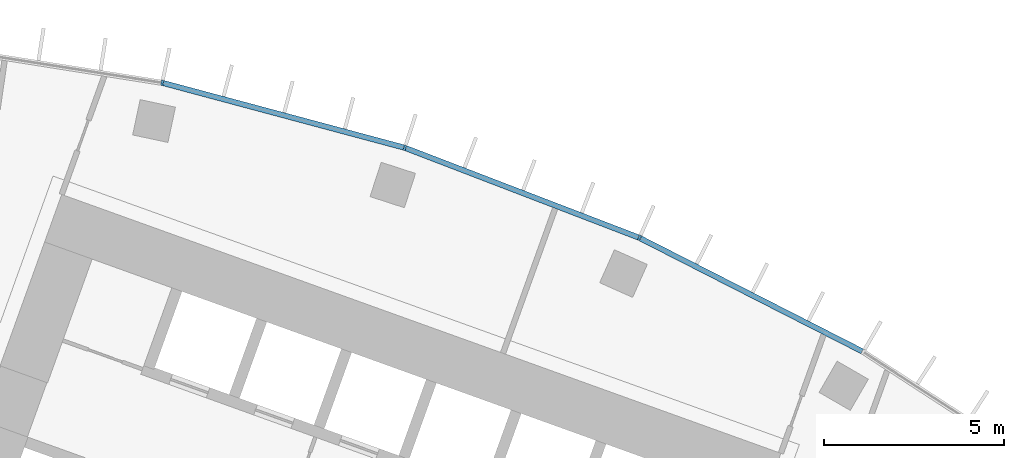
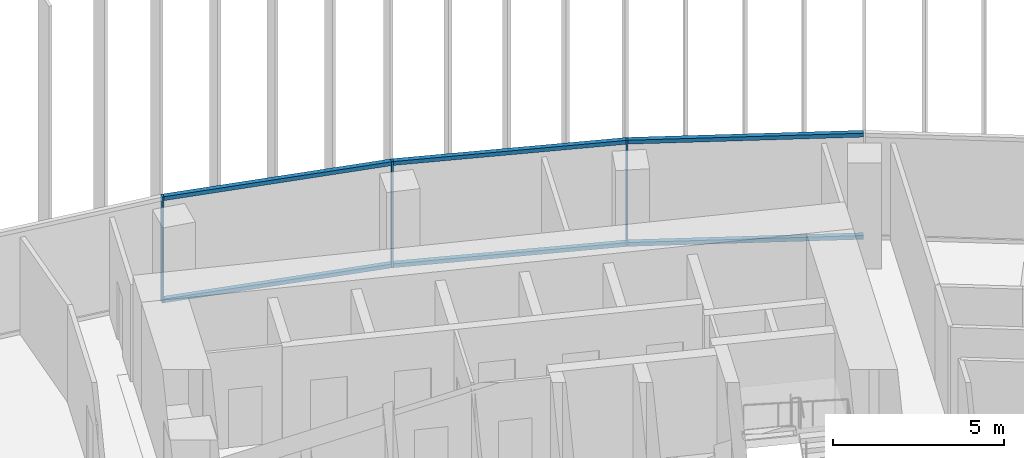
# One storey, part 11 of 23: 9 members, 1 element without a shape of its own.
"""IFC4 building model written with IfcOpenShell, lengths in metres."""

from ifc_helpers import new_model, si_unit, direction, frame, origin, origin_2d, place, context, subcontext, project, spatial, rectangle, extrude, material, layer, layer_set, material_profile, profile_set, type_object, element, aggregate, save


model = new_model("IFC4")

# Units and contexts
model_context = context("Model", 3, precision=1e-05, world=origin(), true_north=direction((0.0, 1.0)))
body_context = subcontext(model_context, "Body", "Model", "MODEL_VIEW")
ifc_project = project(units=[si_unit("LENGTHUNIT", "METRE"), si_unit("AREAUNIT", "SQUARE_METRE"), si_unit("VOLUMEUNIT", "CUBIC_METRE"), si_unit("PLANEANGLEUNIT", "RADIAN"), si_unit("MASSUNIT", "GRAM", prefix="KILO")], contexts=[model_context])

# Site, building, storey
site_placement = place(None, origin())
site = spatial("IfcSite", under=ifc_project, at=site_placement, CompositionType="ELEMENT")
building_placement = place(site_placement, origin())
building = spatial("IfcBuilding", under=site, at=building_placement, Name="Stone Belt Terrace Tower", CompositionType="ELEMENT")
storey_placement = place(building_placement, frame((0.0, 0.0, 178.199951171875)))
storey = spatial("IfcBuildingStorey", under=building, at=storey_placement, Name="L43", CompositionType="ELEMENT", Elevation=178.199951171875)

# Curtain wall, members
ifc_material = material(Name="Aluminium 6063-T6 anodised frame", Category="aluminium")
ifc_layer = layer(ifc_material, 0.14990234375)
ifc_layer_set = layer_set([ifc_layer], Name="CW-A unitised convex-face curtain wall")
curtain_wall_type = type_object("IfcCurtainWallType", Name="CW-A unitised convex-face curtain wall", PredefinedType="NOTDEFINED", material=ifc_layer_set)
curtain_wall_placement = place(storey_placement, origin())
curtain_wall = element("IfcCurtainWall", 1, at=curtain_wall_placement, inside=storey, type_object=curtain_wall_type, Name="CW-A convex face L43", PredefinedType="NOTDEFINED")
ifc_material_profile_1 = material_profile(ifc_material, rectangle(XDim=0.14990234375, YDim=0.06005859375, at=origin_2d()), Name="Aluminium 6063-T6 60x150")
ifc_profile_set_1 = profile_set([ifc_material_profile_1], Name="Aluminium 6063-T6 anodised frame")
member_type_1 = type_object("IfcMemberType", Name="CW-A mullion 60 x 150", PredefinedType="MULLION", material=ifc_profile_set_1)
member_1_placement = place(storey_placement, frame((27.07861328125, 60.8193359375, 0.0), z_axis=(0.0, 0.0, 1.0), x_axis=(-0.406736643076, -0.913545457643, 0.0)))
member_1 = element("IfcMember", 2, at=member_1_placement, type_object=member_type_1, Name="CW-A mullion 4", PredefinedType="MULLION", context=body_context, shape_type="SweptSolid", body=[
    extrude(rectangle(XDim=0.14990234375, YDim=0.06005859375, at=origin_2d()), origin(), (0.0, 0.0, 1.0), 3.800048828125),
])
member_2_placement = place(storey_placement, frame((20.57275390625, 63.316650390625, 0.0), z_axis=(0.0, 0.0, 1.0), x_axis=(-0.309016994375, -0.951056516295, 0.0)))
member_2 = element("IfcMember", 3, at=member_2_placement, type_object=member_type_1, Name="CW-A mullion 5", PredefinedType="MULLION", context=body_context, shape_type="SweptSolid", body=[
    extrude(rectangle(XDim=0.14990234375, YDim=0.06005859375, at=origin_2d()), origin(), (0.0, 0.0, 1.0), 3.800048828125),
])
member_3_placement = place(storey_placement, frame((13.841796875, 65.120361328125, 0.0), z_axis=(0.0, 0.0, 1.0), x_axis=(-0.207911690818, -0.978147600734, 0.0)))
member_3 = element("IfcMember", 4, at=member_3_placement, type_object=member_type_1, Name="CW-A mullion 6", PredefinedType="MULLION", context=body_context, shape_type="SweptSolid", body=[
    extrude(rectangle(XDim=0.14990234375, YDim=0.06005859375, at=origin_2d()), origin(), (0.0, 0.0, 1.0), 3.800048828125),
])
ifc_material_profile_2 = material_profile(ifc_material, rectangle(XDim=0.14990234375, YDim=0.139892578125, at=origin_2d()), Name="Aluminium 6063-T6 150x140")
ifc_profile_set_2 = profile_set([ifc_material_profile_2], Name="Aluminium 6063-T6 anodised frame")
member_type_2 = type_object("IfcMemberType", Name="CW-A transom 140 x 150", PredefinedType="USERDEFINED", material=ifc_profile_set_2)
member_4_placement = place(storey_placement, frame((33.25732421875, 57.671142578125, 0.070068359375), z_axis=(-0.891012226264, 0.453979308613, 0.0), x_axis=(-0.453979308613, -0.891012226264, 0.0)))
member_4 = element("IfcMember", 5, at=member_4_placement, type_object=member_type_2, Name="CW-A transom 3.1", ObjectType="TRANSOM", PredefinedType="USERDEFINED", context=body_context, shape_type="SweptSolid", body=[
    extrude(rectangle(XDim=0.14990234375, YDim=0.139892578125, at=origin_2d()), origin(), (0.0, 0.0, 1.0), 6.90087890625),
])
member_5_placement = place(storey_placement, frame((33.25732421875, 57.671142578125, 3.72998046875), z_axis=(-0.891012226264, 0.453979308613, 0.0), x_axis=(-0.453979308613, -0.891012226264, 0.0)))
member_5 = element("IfcMember", 6, at=member_5_placement, type_object=member_type_2, Name="CW-A transom 3.2", ObjectType="TRANSOM", PredefinedType="USERDEFINED", context=body_context, shape_type="SweptSolid", body=[
    extrude(rectangle(XDim=0.14990234375, YDim=0.139892578125, at=origin_2d()), origin(), (0.0, 0.0, 1.0), 6.90087890625),
])
member_6_placement = place(storey_placement, frame((27.046875, 60.83154296875, 0.070068359375), z_axis=(-0.933585210269, 0.358355487146, 0.0), x_axis=(-0.358355487146, -0.933585210269, 0.0)))
member_6 = element("IfcMember", 7, at=member_6_placement, type_object=member_type_2, Name="CW-A transom 4.1", ObjectType="TRANSOM", PredefinedType="USERDEFINED", context=body_context, shape_type="SweptSolid", body=[
    extrude(rectangle(XDim=0.14990234375, YDim=0.139892578125, at=origin_2d()), origin(), (0.0, 0.0, 1.0), 6.900634765625),
])
member_7_placement = place(storey_placement, frame((27.046875, 60.83154296875, 3.72998046875), z_axis=(-0.933585210269, 0.358355487146, 0.0), x_axis=(-0.358355487146, -0.933585210269, 0.0)))
member_7 = element("IfcMember", 8, at=member_7_placement, type_object=member_type_2, Name="CW-A transom 4.2", ObjectType="TRANSOM", PredefinedType="USERDEFINED", context=body_context, shape_type="SweptSolid", body=[
    extrude(rectangle(XDim=0.14990234375, YDim=0.139892578125, at=origin_2d()), origin(), (0.0, 0.0, 1.0), 6.900634765625),
])
member_8_placement = place(storey_placement, frame((20.5400390625, 63.325439453125, 0.070068359375), z_axis=(-0.965921835863, 0.258833937117, 0.0), x_axis=(-0.258833937117, -0.965921835863, 0.0)))
member_8 = element("IfcMember", 9, at=member_8_placement, type_object=member_type_2, Name="CW-A transom 5.1", ObjectType="TRANSOM", PredefinedType="USERDEFINED", context=body_context, shape_type="SweptSolid", body=[
    extrude(rectangle(XDim=0.14990234375, YDim=0.139892578125, at=origin_2d()), origin(), (0.0, 0.0, 1.0), 6.900634765625),
])
member_9_placement = place(storey_placement, frame((20.5400390625, 63.325439453125, 3.72998046875), z_axis=(-0.965921835863, 0.258833937117, 0.0), x_axis=(-0.258833937117, -0.965921835863, 0.0)))
member_9 = element("IfcMember", 10, at=member_9_placement, type_object=member_type_2, Name="CW-A transom 5.2", ObjectType="TRANSOM", PredefinedType="USERDEFINED", context=body_context, shape_type="SweptSolid", body=[
    extrude(rectangle(XDim=0.14990234375, YDim=0.139892578125, at=origin_2d()), origin(), (0.0, 0.0, 1.0), 6.900634765625),
])
aggregate(curtain_wall, [member_1, member_2, member_3, member_4, member_5, member_6, member_7, member_8, member_9])

save(model, "model.ifc")
